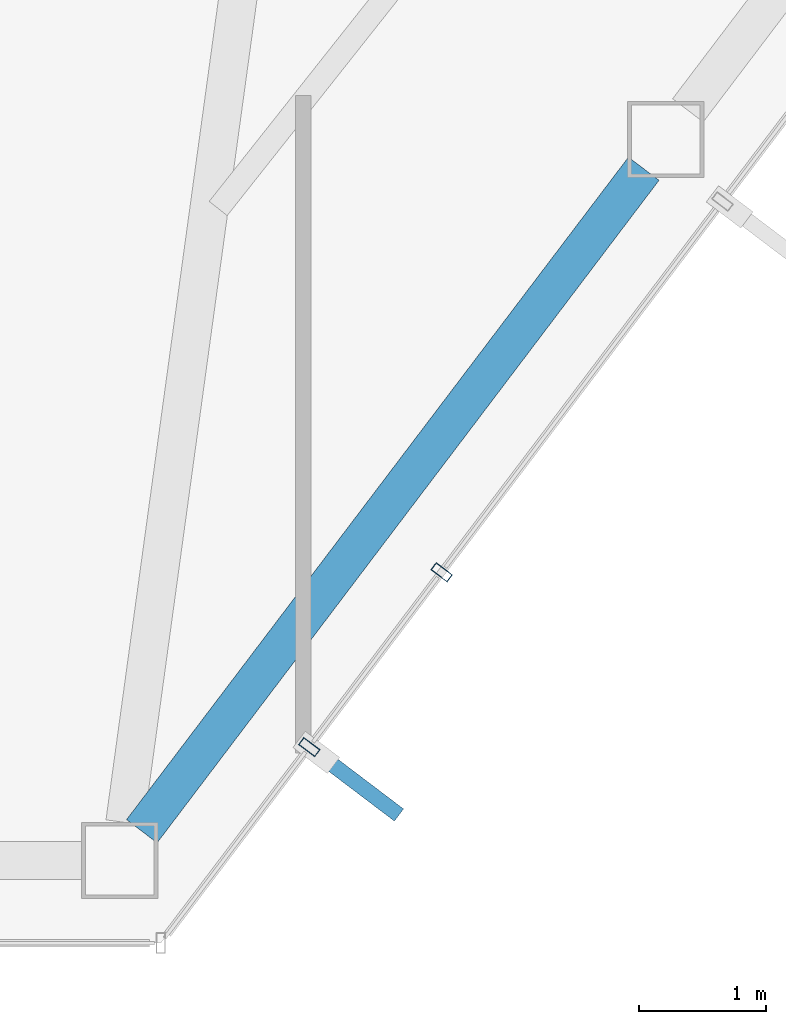
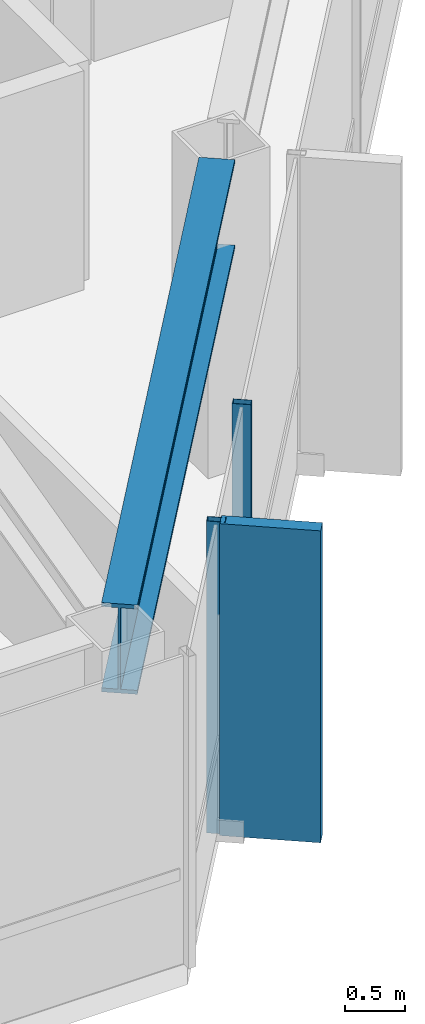
# One storey, part 8 of 27: 3 members, 1 beam, 1 element without a shape of its own.
"""IFC4 building model written with IfcOpenShell, lengths in metres."""

from ifc_helpers import new_model, si_unit, direction, frame, origin, origin_2d, place, context, subcontext, project, spatial, rectangle, hollow_rectangle, i_section, extrude, material, layer, layer_set, material_profile, profile_set, type_object, element, aggregate, save


model = new_model("IFC4")

# Units and contexts
model_context = context("Model", 3, precision=1e-05, world=origin(), true_north=direction((0.0, 1.0)))
body_context = subcontext(model_context, "Body", "Model", "MODEL_VIEW")
ifc_project = project(units=[si_unit("LENGTHUNIT", "METRE"), si_unit("AREAUNIT", "SQUARE_METRE"), si_unit("VOLUMEUNIT", "CUBIC_METRE"), si_unit("PLANEANGLEUNIT", "RADIAN"), si_unit("MASSUNIT", "GRAM", prefix="KILO")], contexts=[model_context])

# Site, building, storey
site_placement = place(None, origin())
site = spatial("IfcSite", under=ifc_project, at=site_placement, CompositionType="ELEMENT")
building_placement = place(site_placement, origin())
building = spatial("IfcBuilding", under=site, at=building_placement, Name="Zarrinselat Tower", CompositionType="ELEMENT")
storey_placement = place(building_placement, frame((0.0, 0.0, 229.159912109375)))
storey = spatial("IfcBuildingStorey", under=building, at=storey_placement, Name="L57", CompositionType="ELEMENT", Elevation=229.159912109375)

# Beam
ifc_material_1 = material(Name="Steel S460M", Category="steel")
ifc_material_profile_1 = material_profile(ifc_material_1, i_section(OverallWidth=0.302001953125, OverallDepth=0.909912109375, WebThickness=0.02099609375, FlangeThickness=0.0400390625, at=origin_2d()), Name="HEM 900")
ifc_profile_set_1 = profile_set([ifc_material_profile_1], Name="Steel S460M")
beam_type = type_object("IfcBeamType", Name="BM-HEM900", PredefinedType="BEAM", material=ifc_profile_set_1)
beam_placement = place(storey_placement, frame((44.031005859375, 19.213623046875, 2.72509765625), z_axis=(0.603865598515, 0.797086155274, 0.0), x_axis=(-0.797086155274, 0.603865598515, 0.0)))
element("IfcBeam", 1, at=beam_placement, inside=storey, type_object=beam_type, Name="L57 Perimeter Spandrel Girder SP11", PredefinedType="BEAM", context=body_context, shape_type="SweptSolid", body=[
    extrude(i_section(OverallWidth=0.302001953125, OverallDepth=0.909912109375, WebThickness=0.02099609375, FlangeThickness=0.0400390625, at=origin_2d()), origin(), (0.0, 0.0, 1.0), 6.536376953125),
])

# Curtain wall, members
ifc_material_2 = material(Name="Extruded Aluminium Alloy EN AW-6063 T6", Category="aluminium")
ifc_layer = layer(ifc_material_2, 0.169921875)
ifc_layer_set = layer_set([ifc_layer], Name="Extruded Aluminium Alloy EN AW-6063 T6")
curtain_wall_type = type_object("IfcCurtainWallType", Name="CWS-RES", PredefinedType="NOTDEFINED", material=ifc_layer_set)
curtain_wall_placement = place(storey_placement, origin())
curtain_wall = element("IfcCurtainWall", 2, at=curtain_wall_placement, inside=storey, type_object=curtain_wall_type, Name="L57 Unitised Curtain Wall CW-L57-E05", PredefinedType="NOTDEFINED")
ifc_material_3 = material(Name="Extruded Aluminium Alloy EN AW-6063 T6", Category="aluminium")
ifc_material_profile_2 = material_profile(ifc_material_3, hollow_rectangle(XDim=0.070068359375, YDim=0.159912109375, WallThickness=0.00390625, at=origin_2d()), Name="RHS 160x70x4")
ifc_profile_set_2 = profile_set([ifc_material_profile_2], Name="Extruded Aluminium Alloy EN AW-6063 T6")
member_type_1 = type_object("IfcMemberType", Name="MEM-CW-MUL2", PredefinedType="MULLION", material=ifc_profile_set_2)
member_1_placement = place(storey_placement, frame((45.347900390625, 19.87548828125, 0.0), z_axis=(0.0, 0.0, 1.0), x_axis=(0.603858872188, 0.797091251037, 0.0)))
member_1 = element("IfcMember", 3, at=member_1_placement, type_object=member_type_1, Name="CW-L57-E05 Mullion 1", PredefinedType="MULLION", context=body_context, shape_type="SweptSolid", body=[
    extrude(hollow_rectangle(XDim=0.070068359375, YDim=0.159912109375, WallThickness=0.00390625, at=origin_2d()), origin(), (0.0, 0.0, 1.0), 3.18017578125),
])
member_2_placement = place(storey_placement, frame((46.388916015625, 21.25, 0.0), z_axis=(0.0, 0.0, 1.0), x_axis=(0.603858872188, 0.797091251037, 0.0)))
member_2 = element("IfcMember", 4, at=member_2_placement, type_object=member_type_1, Name="CW-L57-E05 Mullion 2", PredefinedType="MULLION", context=body_context, shape_type="SweptSolid", body=[
    extrude(hollow_rectangle(XDim=0.070068359375, YDim=0.159912109375, WallThickness=0.00390625, at=origin_2d()), origin(), (0.0, 0.0, 1.0), 3.18017578125),
])
ifc_material_4 = material(Name="Honed Cream Travertine Stone", Category="masonry")
ifc_material_profile_3 = material_profile(ifc_material_4, rectangle(XDim=0.1201171875, YDim=0.85009765625, at=origin_2d()), Name="FIN 850x120")
ifc_profile_set_3 = profile_set([ifc_material_profile_3], Name="Honed Cream Travertine Stone")
member_type_2 = type_object("IfcMemberType", Name="MEM-STONE-FIN", PredefinedType="USERDEFINED", material=ifc_profile_set_3)
member_3_placement = place(storey_placement, frame((45.714599609375, 19.597900390625, 0.0), z_axis=(0.0, 0.0, 1.0), x_axis=(-0.603858872188, -0.797091251037, 0.0)))
member_3 = element("IfcMember", 5, at=member_3_placement, type_object=member_type_2, Name="L57 Stone Shading Fin CW-L57-E05-01", ObjectType="FIN", PredefinedType="USERDEFINED", context=body_context, shape_type="SweptSolid", body=[
    extrude(rectangle(XDim=0.1201171875, YDim=0.85009765625, at=origin_2d()), origin(), (0.0, 0.0, 1.0), 3.18017578125),
])
aggregate(curtain_wall, [member_1, member_3, member_2])

save(model, "model.ifc")
